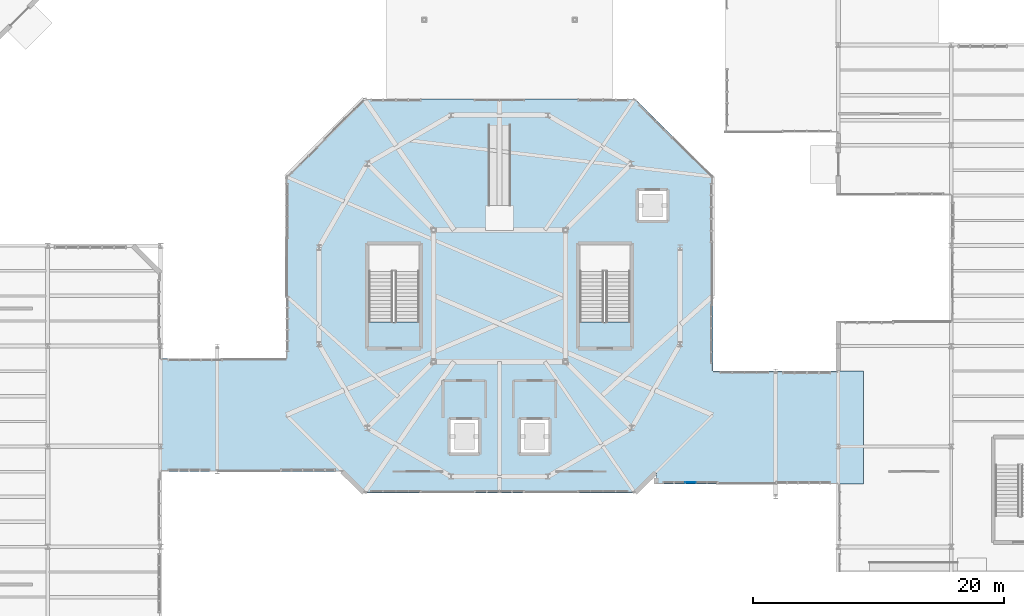
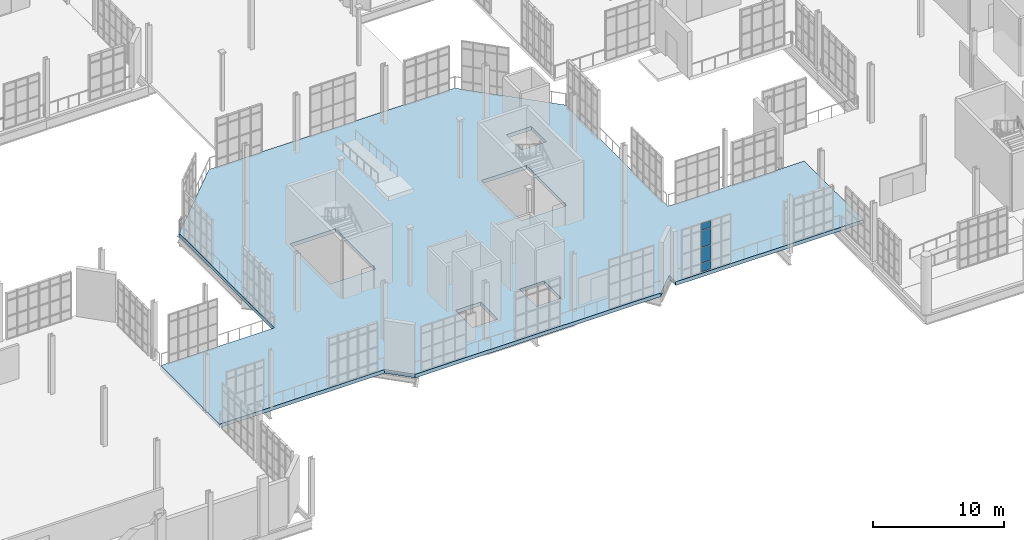
# One storey, part 148 of 189: 4 plates, 1 slab, 1 element without a shape of its own.
"""IFC4 building model written with IfcOpenShell, lengths in metres."""

from ifc_helpers import new_model, si_unit, direction, frame, origin, origin_2d, place, context, subcontext, project, spatial, polyline, rectangle, outline, extrude, material, layer, layer_set, type_object, element, aggregate, save


model = new_model("IFC4")

# Units and contexts
model_context = context("Model", 3, precision=1e-05, world=origin(), true_north=direction((0.0, 1.0)))
body_context = subcontext(model_context, "Body", "Model", "MODEL_VIEW")
ifc_project = project(units=[si_unit("LENGTHUNIT", "METRE"), si_unit("AREAUNIT", "SQUARE_METRE"), si_unit("VOLUMEUNIT", "CUBIC_METRE"), si_unit("PLANEANGLEUNIT", "RADIAN"), si_unit("MASSUNIT", "GRAM", prefix="KILO"), si_unit("THERMODYNAMICTEMPERATUREUNIT", "KELVIN"), si_unit("POWERUNIT", "WATT")], contexts=[model_context])

# Site, building, storey
site_placement = place(None, origin())
site = spatial("IfcSite", under=ifc_project, at=site_placement, CompositionType="ELEMENT")
building_placement = place(site_placement, origin())
building = spatial("IfcBuilding", under=site, at=building_placement, Name="Zelmaris Science Centre", CompositionType="ELEMENT")
storey_placement = place(building_placement, origin())
storey = spatial("IfcBuildingStorey", under=building, at=storey_placement, Name="L00", CompositionType="ELEMENT", Elevation=0.0)

# Curtain wall, plates
ifc_material_1 = material(Name="Anodised architectural aluminium 6063-T6", Category="aluminium")
ifc_layer_1 = layer(ifc_material_1, 0.2099609375, Name="Anodised architectural aluminium 6063-T6")
ifc_layer_set_1 = layer_set([ifc_layer_1], Name="Anodised architectural aluminium 6063-T6")
curtain_wall_type = type_object("IfcCurtainWallType", Name="Curtain Wall CW-03", PredefinedType="USERDEFINED", material=ifc_layer_set_1)
curtain_wall_placement = place(storey_placement, origin())
curtain_wall = element("IfcCurtainWall", 1, at=curtain_wall_placement, inside=storey, type_object=curtain_wall_type, Name="L00 Unitised curtain wall 115", ObjectType="GLAZED CURTAIN WALL", PredefinedType="USERDEFINED")
ifc_material_2 = material(Name="Laminated hurricane-rated low-E insulated glazing", Category="glass")
ifc_layer_2 = layer(ifc_material_2, 0.02587890625, Name="Laminated hurricane-rated low-E insulated glazing")
ifc_layer_set_2 = layer_set([ifc_layer_2], Name="Laminated hurricane-rated low-E insulated glazing")
plate_type = type_object("IfcPlateType", Name="Curtain Glazing Panel CWP-3 26mm", PredefinedType="CURTAIN_PANEL", material=ifc_layer_set_2)
plate_1_placement = place(storey_placement, frame((96.228759765625, 21.119873046875, 0.0419921875), z_axis=(0.0, 0.0, 1.0), x_axis=(-0.999999997651, 6.8536968e-05, 0.0)))
plate_1 = element("IfcPlate", 2, at=plate_1_placement, type_object=plate_type, Name="CW-03 panel 3.1", PredefinedType="CURTAIN_PANEL", context=body_context, shape_type="SweptSolid", body=[
    extrude(rectangle(XDim=0.818359375, YDim=0.02587890625, at=origin_2d()), origin(), (0.0, 0.0, 1.0), 0.764404296875),
])
plate_2_placement = place(storey_placement, frame((96.228759765625, 21.119873046875, 0.863525390625), z_axis=(0.0, 0.0, 1.0), x_axis=(-0.999999997651, 6.8536968e-05, 0.0)))
plate_2 = element("IfcPlate", 3, at=plate_2_placement, type_object=plate_type, Name="CW-03 panel 3.2", PredefinedType="CURTAIN_PANEL", context=body_context, shape_type="SweptSolid", body=[
    extrude(rectangle(XDim=0.818359375, YDim=0.02587890625, at=origin_2d()), origin(), (0.0, 0.0, 1.0), 1.400390625),
])
plate_3_placement = place(storey_placement, frame((96.228759765625, 21.119873046875, 2.32080078125), z_axis=(0.0, 0.0, 1.0), x_axis=(-0.999999997651, 6.8536968e-05, 0.0)))
plate_3 = element("IfcPlate", 4, at=plate_3_placement, type_object=plate_type, Name="CW-03 panel 3.3", PredefinedType="CURTAIN_PANEL", context=body_context, shape_type="SweptSolid", body=[
    extrude(rectangle(XDim=0.818359375, YDim=0.02587890625, at=origin_2d()), origin(), (0.0, 0.0, 1.0), 1.550537109375),
])
plate_4_placement = place(storey_placement, frame((96.228759765625, 21.119873046875, 3.9287109375), z_axis=(0.0, 0.0, 1.0), x_axis=(-0.999999997651, 6.8536968e-05, 0.0)))
plate_4 = element("IfcPlate", 5, at=plate_4_placement, type_object=plate_type, Name="CW-03 panel 3.4", PredefinedType="CURTAIN_PANEL", context=body_context, shape_type="SweptSolid", body=[
    extrude(rectangle(XDim=0.818359375, YDim=0.02587890625, at=origin_2d()), origin(), (0.0, 0.0, 1.0), 0.614501953125),
])
aggregate(curtain_wall, [plate_1, plate_2, plate_3, plate_4])

# Slab
ifc_material_3 = material(Name="Concrete C40/50", Category="concrete")
ifc_layer_3 = layer(ifc_material_3, 0.340087890625, Name="Concrete C40/50")
ifc_layer_set_3 = layer_set([ifc_layer_3], Name="Concrete C40/50")
slab_type = type_object("IfcSlabType", Name="Slab SL-FL340 340mm", PredefinedType="FLOOR", material=ifc_layer_set_3)
slab_placement = place(storey_placement, frame((0.0, 0.0, -0.340087890625)))
element("IfcSlab", 6, at=slab_placement, inside=storey, type_object=slab_type, Name="L00 Exhibition ground hall slab", PredefinedType="FLOOR", context=body_context, shape_type="SweptSolid", body=[
    extrude(outline(polyline([(91.800048828125, 51.699951171875), (98.0, 45.5), (98.0, 30.0), (110.0, 30.0), (110.0, 21.0), (93.5, 21.0), (93.5, 22.0), (91.800048828125, 20.300048828125), (70.199951171875, 20.300048828125), (68.5, 22.0), (53.99609375, 22.0), (53.99609375, 31.0), (64.0, 31.0), (64.0, 45.5), (70.199951171875, 51.699951171875), (91.800048828125, 51.699951171875)]), holes=[polyline([(74.60009765625, 33.919921875), (74.60009765625, 40.050048828125), (70.60009765625, 40.050048828125), (70.60009765625, 33.919921875), (74.60009765625, 33.919921875)]), polyline([(91.39990234375, 33.919921875), (91.39990234375, 40.050048828125), (87.39990234375, 40.050048828125), (87.39990234375, 33.919921875), (91.39990234375, 33.919921875)]), polyline([(77.10009765625, 23.5), (79.300048828125, 23.5), (79.300048828125, 26.10009765625), (77.10009765625, 26.10009765625), (77.10009765625, 23.5)]), polyline([(82.699951171875, 23.5), (84.89990234375, 23.5), (84.89990234375, 26.10009765625), (82.699951171875, 26.10009765625), (82.699951171875, 23.5)]), polyline([(92.10009765625, 42.050048828125), (94.300048828125, 42.050048828125), (94.300048828125, 44.35009765625), (92.10009765625, 44.35009765625), (92.10009765625, 42.050048828125)])]), origin(), (0.0, 0.0, 1.0), 0.340087890625),
])

save(model, "model.ifc")
